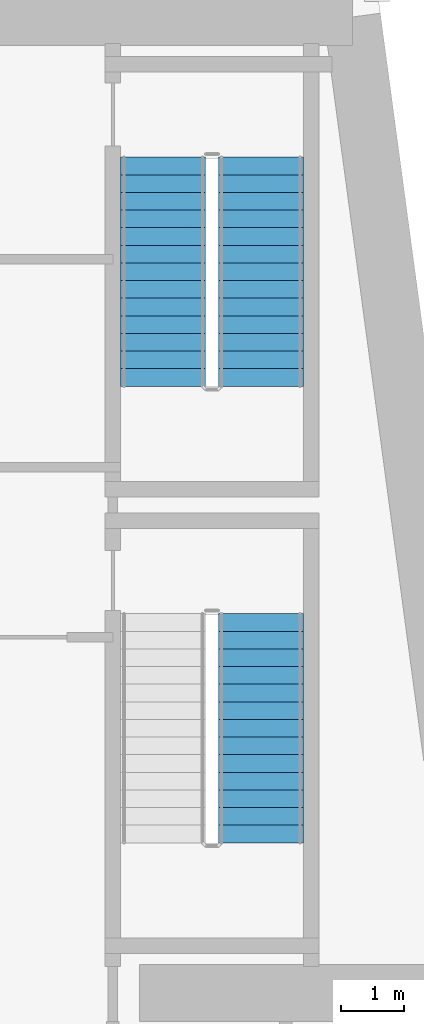
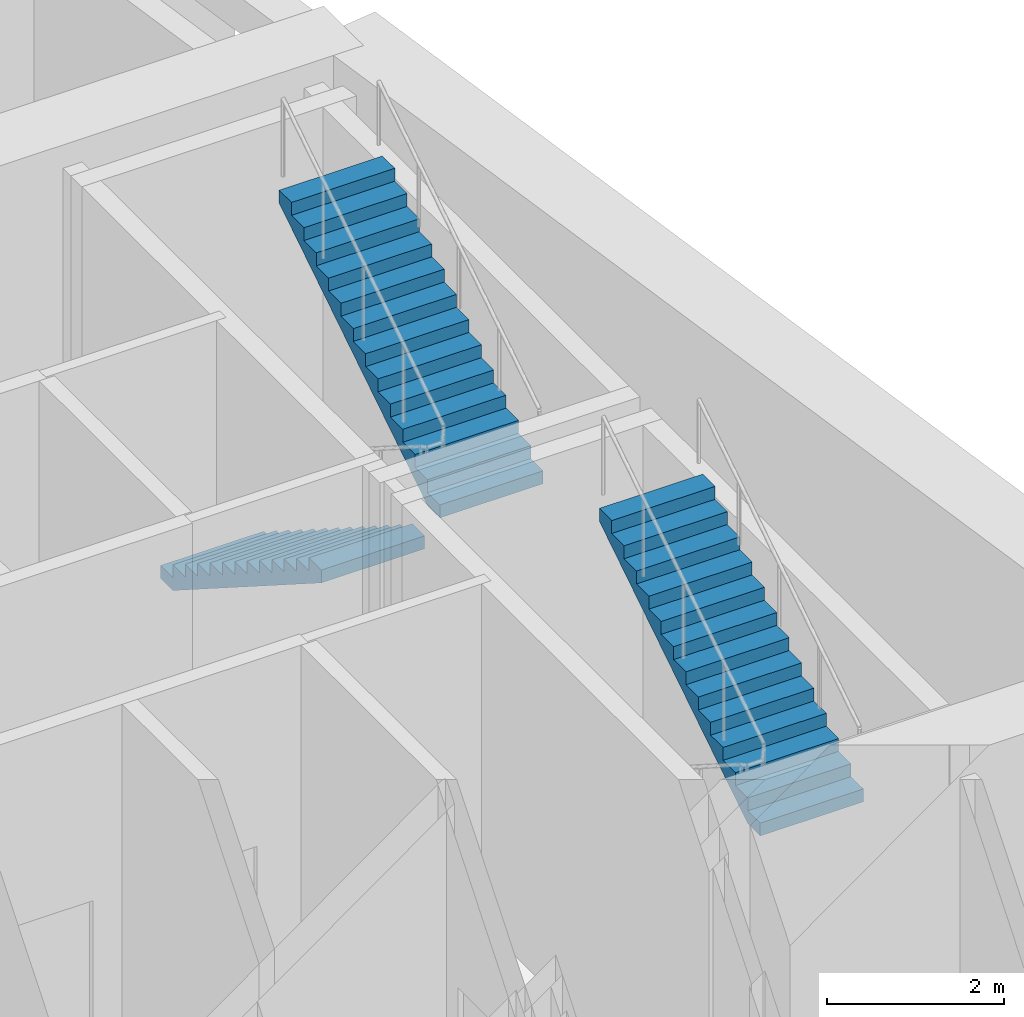
# One storey, part 8 of 12: 3 stair flights, 2 elements without a shape of their own.
"""IFC4 building model written with IfcOpenShell, lengths in metres."""

from ifc_helpers import new_model, si_unit, direction, frame, origin, place, context, subcontext, project, spatial, polyline, outline, extrude, material, type_object, element, aggregate, save


model = new_model("IFC4")

# Units and contexts
model_context = context("Model", 3, precision=1e-05, world=origin(), true_north=direction((0.0, 1.0)))
body_context = subcontext(model_context, "Body", "Model", "MODEL_VIEW")
ifc_project = project(units=[si_unit("LENGTHUNIT", "METRE"), si_unit("AREAUNIT", "SQUARE_METRE"), si_unit("VOLUMEUNIT", "CUBIC_METRE"), si_unit("PLANEANGLEUNIT", "RADIAN"), si_unit("MASSUNIT", "GRAM", prefix="KILO")], contexts=[model_context])

# Site, building, storey
site_placement = place(None, origin())
site = spatial("IfcSite", under=ifc_project, at=site_placement, CompositionType="ELEMENT")
building_placement = place(site_placement, origin())
building = spatial("IfcBuilding", under=site, at=building_placement, Name="Candeia Pilgrim Tower and Theatre", CompositionType="ELEMENT")
storey_placement = place(building_placement, frame((0.0, 0.0, 197.199951171875)))
storey = spatial("IfcBuildingStorey", under=building, at=storey_placement, Name="L47", CompositionType="ELEMENT", Elevation=197.199951171875)

# Stair, stair flight
ifc_material = material(Name="Concrete C40/50", Category="concrete")
stair_type = type_object("IfcStairType", Name="ST-TWR dog-leg escape stair", PredefinedType="HALF_TURN_STAIR", material=ifc_material)
stair_1_placement = place(storey_placement, origin())
stair_1 = element("IfcStair", 1, at=stair_1_placement, inside=storey, type_object=stair_type, Name="L47 Escape stair ST3", PredefinedType="HALF_TURN_STAIR")
stair_flight_type = type_object("IfcStairFlightType", Name="SFL-RC stair flight", PredefinedType="STRAIGHT", material=ifc_material)
stair_flight_1_placement = place(storey_placement, frame((136.322998046875, 118.8349609375, 2.5), z_axis=(0.0, 0.0, 1.0), x_axis=(0.0, 1.0, 0.0)))
stair_flight_1 = element("IfcStairFlight", 2, at=stair_flight_1_placement, type_object=stair_flight_type, Name="ST3 flight 2", NumberOfRisers=14, NumberOfTreads=13, PredefinedType="STRAIGHT", RiserHeight=0.178571429, TreadLength=0.28, context=body_context, shape_type="SweptSolid", body=[
    extrude(outline(polyline([(0.0, 0.0), (0.0, 0.178466796875), (0.280029296875, 0.178466796875), (0.280029296875, 0.357177734375), (0.56005859375, 0.357177734375), (0.56005859375, 0.53564453125), (0.840087890625, 0.53564453125), (0.840087890625, 0.71435546875), (1.1201171875, 0.71435546875), (1.1201171875, 0.892822265625), (1.39990234375, 0.892822265625), (1.39990234375, 1.071533203125), (1.679931640625, 1.071533203125), (1.679931640625, 1.25), (1.9599609375, 1.25), (1.9599609375, 1.428466796875), (2.239990234375, 1.428466796875), (2.239990234375, 1.607177734375), (2.52001953125, 1.607177734375), (2.52001953125, 1.78564453125), (2.800048828125, 1.78564453125), (2.800048828125, 1.96435546875), (3.080078125, 1.96435546875), (3.080078125, 2.142822265625), (3.360107421875, 2.142822265625), (3.360107421875, 2.321533203125), (3.639892578125, 2.321533203125), (3.639892578125, 2.5), (3.639892578125, 2.1435546875), (0.27880859375, 0.0), (0.0, 0.0)])), frame((0.0, 0.675048828125, 0.0), z_axis=(0.0, -1.0, 0.0), x_axis=(1.0, 0.0, 0.0)), (0.0, 0.0, 1.0), 1.35009765625),
])
aggregate(stair_1, [stair_flight_1])

# Stair, stair flights
stair_2_placement = place(storey_placement, origin())
stair_2 = element("IfcStair", 3, at=stair_2_placement, inside=storey, type_object=stair_type, Name="L47 Escape stair ST4", PredefinedType="HALF_TURN_STAIR")
stair_flight_2_placement = place(storey_placement, frame((134.77294921875, 129.72509765625, 0.0), z_axis=(0.0, 0.0, 1.0), x_axis=(0.0, -1.0, 0.0)))
stair_flight_2 = element("IfcStairFlight", 4, at=stair_flight_2_placement, type_object=stair_flight_type, Name="ST4 flight 1", NumberOfRisers=14, NumberOfTreads=13, PredefinedType="STRAIGHT", RiserHeight=0.178571429, TreadLength=0.28, context=body_context, shape_type="SweptSolid", body=[
    extrude(outline(polyline([(0.0, 0.0), (0.0, 0.178466796875), (0.280029296875, 0.178466796875), (0.280029296875, 0.357177734375), (0.56005859375, 0.357177734375), (0.56005859375, 0.53564453125), (0.840087890625, 0.53564453125), (0.840087890625, 0.71435546875), (1.1201171875, 0.71435546875), (1.1201171875, 0.892822265625), (1.39990234375, 0.892822265625), (1.39990234375, 1.071533203125), (1.679931640625, 1.071533203125), (1.679931640625, 1.25), (1.9599609375, 1.25), (1.9599609375, 1.428466796875), (2.239990234375, 1.428466796875), (2.239990234375, 1.607177734375), (2.52001953125, 1.607177734375), (2.52001953125, 1.78564453125), (2.800048828125, 1.78564453125), (2.800048828125, 1.96435546875), (3.080078125, 1.96435546875), (3.080078125, 2.142822265625), (3.360107421875, 2.142822265625), (3.360107421875, 2.321533203125), (3.639892578125, 2.321533203125), (3.639892578125, 2.5), (3.639892578125, 2.1435546875), (0.27880859375, 0.0), (0.0, 0.0)])), frame((0.0, 0.675048828125, 0.0), z_axis=(0.0, -1.0, 0.0), x_axis=(1.0, 0.0, 0.0)), (0.0, 0.0, 1.0), 1.35009765625),
])
stair_flight_3_placement = place(storey_placement, frame((136.322998046875, 126.0849609375, 2.5), z_axis=(0.0, 0.0, 1.0), x_axis=(0.0, 1.0, 0.0)))
stair_flight_3 = element("IfcStairFlight", 5, at=stair_flight_3_placement, type_object=stair_flight_type, Name="ST4 flight 2", NumberOfRisers=14, NumberOfTreads=13, PredefinedType="STRAIGHT", RiserHeight=0.178571429, TreadLength=0.28, context=body_context, shape_type="SweptSolid", body=[
    extrude(outline(polyline([(0.0, 0.0), (0.0, 0.178466796875), (0.280029296875, 0.178466796875), (0.280029296875, 0.357177734375), (0.56005859375, 0.357177734375), (0.56005859375, 0.53564453125), (0.840087890625, 0.53564453125), (0.840087890625, 0.71435546875), (1.1201171875, 0.71435546875), (1.1201171875, 0.892822265625), (1.39990234375, 0.892822265625), (1.39990234375, 1.071533203125), (1.679931640625, 1.071533203125), (1.679931640625, 1.25), (1.9599609375, 1.25), (1.9599609375, 1.428466796875), (2.239990234375, 1.428466796875), (2.239990234375, 1.607177734375), (2.52001953125, 1.607177734375), (2.52001953125, 1.78564453125), (2.800048828125, 1.78564453125), (2.800048828125, 1.96435546875), (3.080078125, 1.96435546875), (3.080078125, 2.142822265625), (3.360107421875, 2.142822265625), (3.360107421875, 2.321533203125), (3.639892578125, 2.321533203125), (3.639892578125, 2.5), (3.639892578125, 2.1435546875), (0.27880859375, 0.0), (0.0, 0.0)])), frame((0.0, 0.675048828125, 0.0), z_axis=(0.0, -1.0, 0.0), x_axis=(1.0, 0.0, 0.0)), (0.0, 0.0, 1.0), 1.35009765625),
])
aggregate(stair_2, [stair_flight_2, stair_flight_3])

save(model, "model.ifc")
